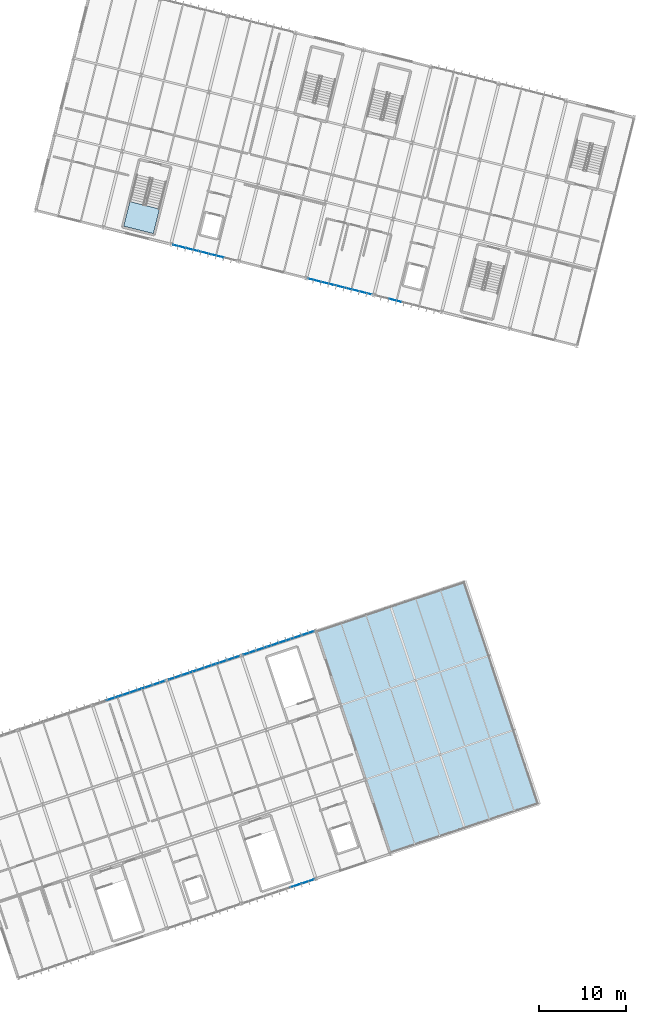
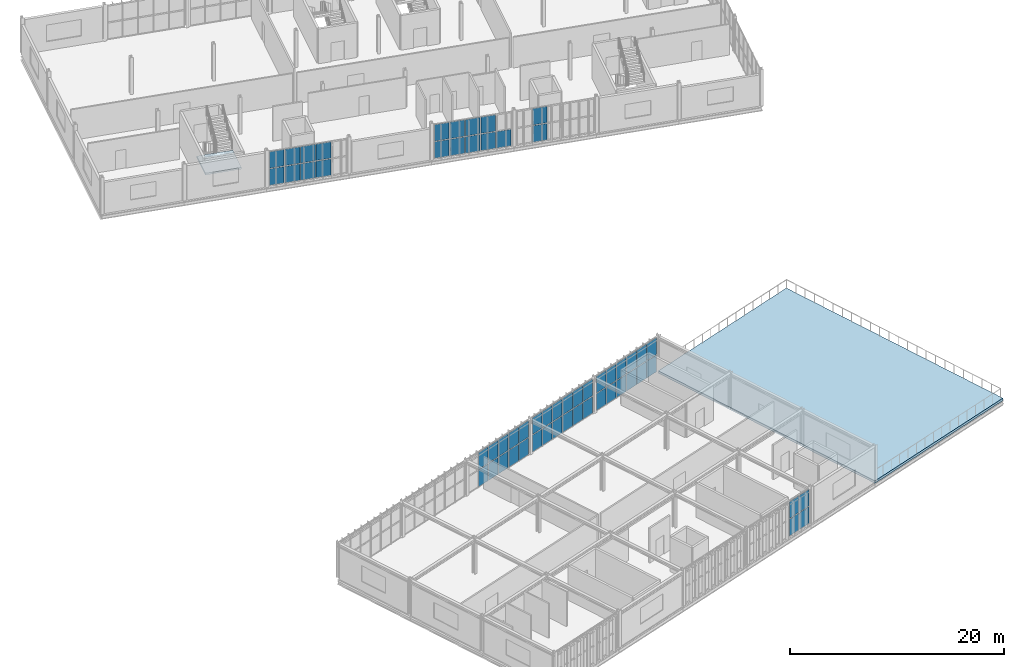
# One storey, part 41 of 61: 57 plates, 2 slabs, 8 elements without a shape of their own.
"""IFC4 building model written with IfcOpenShell, lengths in metres."""

import ifcopenshell
import ifcopenshell.guid

model = None  # the IFC model being written
_history = None  # IfcOwnerHistory: only IFC2X3 demands one
_inside = {}  # id of a spatial element -> (the spatial element, [elements in it])
_under = {}  # id of a project, library or spatial element -> (it, [spatial elements below it])
_declared = {}  # id of a project -> (the project, [libraries it declares])
_typed = {}  # id of a type object -> (the type object, [elements of that type])
_made_of = {}  # id of a material, layer set ... -> (it, [elements and type objects made of it])


def new_model(schema):
    """Start an empty IFC model of exactly this schema.

    Asked for "IFC4X3", IfcOpenShell would pick the latest addendum, in which some entities
    have other attributes; the version numbers below select the first issue.
    IFC2X3 requires an IfcOwnerHistory on every rooted entity: one is made here for all.
    """
    global model, _history
    if schema == "IFC4X3":
        model = ifcopenshell.file(schema_version=(4, 3, 0, 0))
    else:
        model = ifcopenshell.file(schema=schema)
    _inside.clear()
    _under.clear()
    _declared.clear()
    _typed.clear()
    _made_of.clear()
    _history = None
    if model.schema == "IFC2X3":
        org = make("IfcOrganization", Name="unknown")
        user = make(
            "IfcPersonAndOrganization",
            ThePerson=make("IfcPerson", FamilyName="unknown"),
            TheOrganization=org,
        )
        app = make(
            "IfcApplication",
            ApplicationDeveloper=org,
            Version="unknown",
            ApplicationFullName="unknown",
            ApplicationIdentifier="unknown",
        )
        _history = make(
            "IfcOwnerHistory",
            OwningUser=user,
            OwningApplication=app,
            ChangeAction="ADDED",
            CreationDate=0,
        )
    return model


def make(cls, **values):
    """One entity of the class cls with the attributes given. An attribute that is None is left unset."""
    return model.create_entity(
        cls, **{name: value for name, value in values.items() if value is not None}
    )


def rooted(cls, **values):
    """An entity with a GlobalId (a new one), such as an element, a storey or a relation."""
    return make(cls, GlobalId=ifcopenshell.guid.new(), OwnerHistory=_history, **values)


def si_unit(unit_type, name, prefix=None):
    """IfcSIUnit, for example si_unit("LENGTHUNIT", "METRE", prefix="MILLI")."""
    return make("IfcSIUnit", UnitType=unit_type, Prefix=prefix, Name=name)


def derived_unit(unit_type, elements):
    """IfcDerivedUnit: a product of units, each with its exponent."""
    return make(
        "IfcDerivedUnit",
        Elements=[
            make("IfcDerivedUnitElement", Unit=unit, Exponent=power)
            for unit, power in elements
        ],
        UnitType=unit_type,
    )


def assignment(units):
    """IfcUnitAssignment: the units of a project."""
    return None if units is None else make("IfcUnitAssignment", Units=units)


def point(xyz):
    """IfcCartesianPoint."""
    return None if xyz is None else make("IfcCartesianPoint", Coordinates=xyz)


def direction(xyz):
    """IfcDirection."""
    return None if xyz is None else make("IfcDirection", DirectionRatios=xyz)


def frame(location, z_axis=None, x_axis=None):
    """IfcAxis2Placement3D, a coordinate frame: its origin and axes. An axis left out is left unset."""
    return make(
        "IfcAxis2Placement3D",
        Location=point(location),
        Axis=direction(z_axis),
        RefDirection=direction(x_axis),
    )


def frame_2d(location, x_axis=None):
    """IfcAxis2Placement2D, a coordinate frame in the plane: its origin and x axis."""
    return make(
        "IfcAxis2Placement2D", Location=point(location), RefDirection=direction(x_axis)
    )


def origin():
    """The frame at (0, 0, 0) with its axes left unset."""
    return frame((0.0, 0.0, 0.0))


def origin_2d():
    """The frame at (0, 0) in the plane with its x axis left unset."""
    return frame_2d((0.0, 0.0))


def place(relative_to, where):
    """IfcLocalPlacement: puts the frame where relative to a parent placement (None: the world)."""
    return make(
        "IfcLocalPlacement", PlacementRelTo=relative_to, RelativePlacement=where
    )


def context(
    kind, dimensions, precision=None, world=None, true_north=None, identifier=None
):
    """IfcGeometricRepresentationContext, for example the 3D "Model" context."""
    return make(
        "IfcGeometricRepresentationContext",
        ContextIdentifier=identifier,
        ContextType=kind,
        CoordinateSpaceDimension=dimensions,
        Precision=precision,
        WorldCoordinateSystem=world,
        TrueNorth=true_north,
    )


def subcontext(parent, identifier, kind, view, scale=None):
    """IfcGeometricRepresentationSubContext, for example "Body" below "Model"."""
    return make(
        "IfcGeometricRepresentationSubContext",
        ContextIdentifier=identifier,
        ContextType=kind,
        ParentContext=parent,
        TargetScale=scale,
        TargetView=view,
    )


def project(units=None, contexts=None):
    """IfcProject with its units and contexts."""
    return rooted(
        "IfcProject",
        Name="project",
        RepresentationContexts=contexts,
        UnitsInContext=assignment(units),
    )


def spatial(cls, under=None, at=None, **own):
    """A site, building, storey or space (cls), placed at a placement, below another one or the project."""
    s = rooted(cls, ObjectPlacement=at, **own)
    if under is not None:
        _under.setdefault(under.id(), (under, []))[1].append(s)
    return s


def polyline(points):
    """IfcPolyline through the points."""
    return make("IfcPolyline", Points=[point(p) for p in points])


def profile(cls, at=None, kind="AREA", **sizes):
    """A parametric profile (cls). Its sizes go by their IFC names, for example OverallWidth=200.0."""
    return make(cls, ProfileType=kind, Position=at, **sizes)


def rectangle(**sizes):
    """IfcRectangleProfileDef."""
    return profile("IfcRectangleProfileDef", **sizes)


def outline(outer, holes=None, kind="AREA"):
    """IfcArbitraryClosedProfileDef: a profile drawn as a closed curve; with holes, ...WithVoids."""
    if holes is None:
        return make("IfcArbitraryClosedProfileDef", ProfileType=kind, OuterCurve=outer)
    return make(
        "IfcArbitraryProfileDefWithVoids",
        ProfileType=kind,
        OuterCurve=outer,
        InnerCurves=holes,
    )


def extrude(swept, where, along, depth):
    """IfcExtrudedAreaSolid: the profile swept, set in the frame where, extruded along a direction by depth."""
    return make(
        "IfcExtrudedAreaSolid",
        SweptArea=swept,
        Position=where,
        ExtrudedDirection=direction(along),
        Depth=depth,
    )


def shape(context_of_items, identifier, shape_type, items):
    """IfcShapeRepresentation: the items that make up one representation, for example the "Body"."""
    return make(
        "IfcShapeRepresentation",
        ContextOfItems=context_of_items,
        RepresentationIdentifier=identifier,
        RepresentationType=shape_type,
        Items=items,
    )


def material(Name=None, Category=None):
    """IfcMaterial."""
    return make("IfcMaterial", Name=Name, Category=Category)


def layer(
    of_material, thickness, ventilated=None, Name=None, Category=None, Priority=None
):
    """IfcMaterialLayer: one layer of a wall or slab, of a material (None: an air gap)."""
    return make(
        "IfcMaterialLayer",
        Material=of_material,
        LayerThickness=thickness,
        IsVentilated=ventilated,
        Name=Name,
        Category=Category,
        Priority=Priority,
    )


def layer_set(layers, Name=None):
    """IfcMaterialLayerSet."""
    return make("IfcMaterialLayerSet", MaterialLayers=layers, LayerSetName=Name)


def made_of(thing, what):
    """Note that an element or type object is made of a material, layer set ...; save() writes the relation."""
    if what is not None:
        _made_of.setdefault(what.id(), (what, []))[1].append(thing)
    return thing


def type_object(cls, material=None, **own):
    """A type object (cls), such as IfcWallType, which elements share."""
    return made_of(rooted(cls, **own), material)


def element(
    cls,
    number,
    at=None,
    inside=None,
    cuts=None,
    type_object=None,
    material=None,
    context=None,
    identifier="Body",
    shape_type=None,
    held_by="IfcProductDefinitionShape",
    body=None,
    shapes=None,
    **own,
):
    """One element of the class cls, such as IfcWall. Its Tag is "e" and its number.

    at: its placement. inside: the storey or other place that contains it. cuts: it is an
    opening in that element (IfcRelVoidsElement). A single representation is given by context,
    identifier, shape_type and body (its items); several are given by shapes. held_by: the class
    of the entity that holds the representations. save() writes the other relations.
    """
    e = rooted(cls, Tag="e%d" % number, ObjectPlacement=at, **own)
    if body is not None:
        shapes = [shape(context, identifier, shape_type, body)]
    if shapes is not None:
        e.Representation = make(held_by, Representations=shapes)
    if inside is not None:
        _inside.setdefault(inside.id(), (inside, []))[1].append(e)
    if cuts is not None:
        rooted(
            "IfcRelVoidsElement", RelatingBuildingElement=cuts, RelatedOpeningElement=e
        )
    if type_object is not None:
        _typed.setdefault(type_object.id(), (type_object, []))[1].append(e)
    return made_of(e, material)


def aggregate(whole, parts):
    """IfcRelAggregates: a whole, such as a stair, and the parts it consists of."""
    return rooted("IfcRelAggregates", RelatingObject=whole, RelatedObjects=parts)


def save(model, path):
    """Write the relations noted so far, then the file.

    IfcRelAggregates (storeys below a building ...), IfcRelContainedInSpatialStructure (elements
    in a storey), IfcRelDefinesByType, IfcRelAssociatesMaterial and IfcRelDeclares: one each for
    every whole, place, type object, material and project.
    """
    for whole, parts in _under.values():
        aggregate(whole, parts)
    for where, things in _inside.values():
        rooted(
            "IfcRelContainedInSpatialStructure",
            RelatedElements=things,
            RelatingStructure=where,
        )
    for kind, things in _typed.values():
        rooted("IfcRelDefinesByType", RelatedObjects=things, RelatingType=kind)
    for what, things in _made_of.values():
        rooted("IfcRelAssociatesMaterial", RelatedObjects=things, RelatingMaterial=what)
    for by, libraries in _declared.values():
        rooted("IfcRelDeclares", RelatingContext=by, RelatedDefinitions=libraries)
    model.write(path)


model = new_model("IFC4")

# Units and contexts
model_context = context("Model", 3, precision=1e-05, world=origin(), true_north=direction((0.0, 1.0)))
body_context = subcontext(model_context, "Body", "Model", "MODEL_VIEW")
ifc_project = project(units=[si_unit("LENGTHUNIT", "METRE"), si_unit("AREAUNIT", "SQUARE_METRE"), si_unit("VOLUMEUNIT", "CUBIC_METRE"), si_unit("PLANEANGLEUNIT", "RADIAN"), si_unit("MASSUNIT", "GRAM", prefix="KILO"), si_unit("THERMODYNAMICTEMPERATUREUNIT", "KELVIN"), si_unit("TIMEUNIT", "SECOND"), derived_unit("THERMALTRANSMITTANCEUNIT", [(si_unit("MASSUNIT", "GRAM", prefix="KILO"), 1), (si_unit("THERMODYNAMICTEMPERATUREUNIT", "KELVIN"), -1), (si_unit("TIMEUNIT", "SECOND"), -3)])], contexts=[model_context])

# Site, building, storey
site_placement = place(None, origin())
site = spatial("IfcSite", under=ifc_project, at=site_placement, CompositionType="ELEMENT")
building_placement = place(site_placement, origin())
building = spatial("IfcBuilding", under=site, at=building_placement, Name="Cambertide Market Hall", CompositionType="ELEMENT")
storey_placement = place(building_placement, frame((0.0, 0.0, 9.89990234375)))
storey = spatial("IfcBuildingStorey", under=building, at=storey_placement, Name="L03", CompositionType="ELEMENT", Elevation=9.89990234375)

# Stair, slab
ifc_material_1 = material(Name="Concrete B35", Category="concrete")
stair_type = type_object("IfcStairType", Name="Concrete Dogleg Stair ST-07A", PredefinedType="HALF_TURN_STAIR", material=ifc_material_1)
stair_placement = place(storey_placement, origin())
stair = element("IfcStair", 1, at=stair_placement, inside=storey, type_object=stair_type, Name="Level 3 Exit Stair Core 07A", PredefinedType="HALF_TURN_STAIR")
ifc_material_2 = material(Name="Concrete B35", Category="concrete")
ifc_layer_1 = layer(ifc_material_2, 0.199951171875, Name="Concrete Stair Half-Landing 200")
ifc_layer_set_1 = layer_set([ifc_layer_1], Name="Concrete B35")
slab_type_1 = type_object("IfcSlabType", Name="Concrete Stair Half-Landing 200", PredefinedType="LANDING", material=ifc_layer_set_1)
slab_1_placement = place(storey_placement, frame((0.0, 0.0, 1.900146484375)))
slab_1 = element("IfcSlab", 2, at=slab_1_placement, type_object=slab_type_1, Name="ST-07A landing 1", PredefinedType="LANDING", context=body_context, shape_type="SweptSolid", body=[
    extrude(outline(polyline([(118.820556640625, 101.02001953125), (118.11376953125, 98.193115234375), (121.50927734375, 97.34423828125), (122.216064453125, 100.171142578125), (118.820556640625, 101.02001953125)])), origin(), (0.0, 0.0, 1.0), 0.199951171875),
])
aggregate(stair, [slab_1])

# Slab
ifc_material_3 = material(Name="Concrete B35", Category="concrete")
ifc_layer_2 = layer(ifc_material_3, 0.27490234375, Name="East Breeze Outdoor Dining Terrace Slab 275")
ifc_layer_set_2 = layer_set([ifc_layer_2], Name="Concrete B35")
slab_type_2 = type_object("IfcSlabType", Name="East Breeze Outdoor Dining Terrace Slab 275", PredefinedType="FLOOR", material=ifc_layer_set_2)
slab_2_placement = place(storey_placement, frame((0.0, 0.0, -0.27490234375)))
element("IfcSlab", 3, at=slab_2_placement, inside=storey, type_object=slab_type_2, Name="Level 3 Slab SLB-L03-V3-TERR", PredefinedType="FLOOR", context=body_context, shape_type="SweptSolid", body=[
    extrude(outline(polyline([(148.690673828125, 26.230224609375), (165.76708984375, 31.92236328125), (157.22900390625, 57.536865234375), (140.152587890625, 51.8447265625), (148.690673828125, 26.230224609375)])), origin(), (0.0, 0.0, 1.0), 0.27490234375),
])

# Curtain wall, plates
ifc_material_4 = material(Name="Marine Anodized Aluminium 6063-T6 AA25", Category="aluminium")
curtain_wall_type_1 = type_object("IfcCurtainWallType", Name="Tasting Hall Panorama Curtain Wall", PredefinedType="USERDEFINED", material=ifc_material_4)
curtain_wall_1_placement = place(storey_placement, origin())
curtain_wall_1 = element("IfcCurtainWall", 4, at=curtain_wall_1_placement, inside=storey, type_object=curtain_wall_type_1, Name="Level 3 Curtain Wall CW-V3N-L03-3", ObjectType="UNITIZED CURTAIN WALL", PredefinedType="USERDEFINED")
ifc_material_5 = material(Name="Low-E Laminated Insulated Glass", Category="glass")
ifc_layer_3 = layer(ifc_material_5, 0.028076171875, Name="Vision Insulated Glazing Panel 28")
ifc_layer_set_3 = layer_set([ifc_layer_3], Name="Low-E Laminated Insulated Glass")
plate_type = type_object("IfcPlateType", Name="Vision Insulated Glazing Panel 28", PredefinedType="CURTAIN_PANEL", material=ifc_layer_set_3)
plate_1_placement = place(storey_placement, frame((116.78662109375, 44.055908203125, 0.0400390625), z_axis=(0.0, 0.0, 1.0), x_axis=(0.948683274577, 0.316227836438, 0.0)))
plate_1 = element("IfcPlate", 5, at=plate_1_placement, type_object=plate_type, Name="CW-V3N-L03-3 Glazing Panel 1-2", PredefinedType="CURTAIN_PANEL", context=body_context, shape_type="SweptSolid", body=[
    extrude(rectangle(XDim=1.340087890625, YDim=0.028076171875, at=origin_2d()), origin(), (0.0, 0.0, 1.0), 1.909912109375),
])
plate_2_placement = place(storey_placement, frame((118.133544921875, 44.505126953125, 0.0400390625), z_axis=(0.0, 0.0, 1.0), x_axis=(0.948683274577, 0.316227836438, 0.0)))
plate_2 = element("IfcPlate", 6, at=plate_2_placement, type_object=plate_type, Name="CW-V3N-L03-3 Glazing Panel 1-3", PredefinedType="CURTAIN_PANEL", context=body_context, shape_type="SweptSolid", body=[
    extrude(rectangle(XDim=1.340087890625, YDim=0.028076171875, at=origin_2d()), origin(), (0.0, 0.0, 1.0), 1.909912109375),
])
plate_3_placement = place(storey_placement, frame((119.480712890625, 44.9541015625, 0.0400390625), z_axis=(0.0, 0.0, 1.0), x_axis=(0.948683274577, 0.316227836438, 0.0)))
plate_3 = element("IfcPlate", 7, at=plate_3_placement, type_object=plate_type, Name="CW-V3N-L03-3 Glazing Panel 1-4", PredefinedType="CURTAIN_PANEL", context=body_context, shape_type="SweptSolid", body=[
    extrude(rectangle(XDim=1.340087890625, YDim=0.028076171875, at=origin_2d()), origin(), (0.0, 0.0, 1.0), 1.909912109375),
])
plate_4_placement = place(storey_placement, frame((120.827880859375, 45.403076171875, 0.0400390625), z_axis=(0.0, 0.0, 1.0), x_axis=(0.948683274577, 0.316227836438, 0.0)))
plate_4 = element("IfcPlate", 8, at=plate_4_placement, type_object=plate_type, Name="CW-V3N-L03-3 Glazing Panel 1-5", PredefinedType="CURTAIN_PANEL", context=body_context, shape_type="SweptSolid", body=[
    extrude(rectangle(XDim=1.340087890625, YDim=0.028076171875, at=origin_2d()), origin(), (0.0, 0.0, 1.0), 1.909912109375),
])
plate_5_placement = place(storey_placement, frame((122.175048828125, 45.852294921875, 0.0400390625), z_axis=(0.0, 0.0, 1.0), x_axis=(0.948683274577, 0.316227836438, 0.0)))
plate_5 = element("IfcPlate", 9, at=plate_5_placement, type_object=plate_type, Name="CW-V3N-L03-3 Glazing Panel 1-6", PredefinedType="CURTAIN_PANEL", context=body_context, shape_type="SweptSolid", body=[
    extrude(rectangle(XDim=1.340087890625, YDim=0.028076171875, at=origin_2d()), origin(), (0.0, 0.0, 1.0), 1.909912109375),
])
plate_6_placement = place(storey_placement, frame((116.78662109375, 44.055908203125, 2.0302734375), z_axis=(0.0, 0.0, 1.0), x_axis=(0.948683274577, 0.316227836438, 0.0)))
plate_6 = element("IfcPlate", 10, at=plate_6_placement, type_object=plate_type, Name="CW-V3N-L03-3 Glazing Panel 2-2", PredefinedType="CURTAIN_PANEL", context=body_context, shape_type="SweptSolid", body=[
    extrude(rectangle(XDim=1.340087890625, YDim=0.028076171875, at=origin_2d()), origin(), (0.0, 0.0, 1.0), 1.909912109375),
])
plate_7_placement = place(storey_placement, frame((118.133544921875, 44.505126953125, 2.0302734375), z_axis=(0.0, 0.0, 1.0), x_axis=(0.948683274577, 0.316227836438, 0.0)))
plate_7 = element("IfcPlate", 11, at=plate_7_placement, type_object=plate_type, Name="CW-V3N-L03-3 Glazing Panel 2-3", PredefinedType="CURTAIN_PANEL", context=body_context, shape_type="SweptSolid", body=[
    extrude(rectangle(XDim=1.340087890625, YDim=0.028076171875, at=origin_2d()), origin(), (0.0, 0.0, 1.0), 1.909912109375),
])
plate_8_placement = place(storey_placement, frame((119.480712890625, 44.9541015625, 2.0302734375), z_axis=(0.0, 0.0, 1.0), x_axis=(0.948683274577, 0.316227836438, 0.0)))
plate_8 = element("IfcPlate", 12, at=plate_8_placement, type_object=plate_type, Name="CW-V3N-L03-3 Glazing Panel 2-4", PredefinedType="CURTAIN_PANEL", context=body_context, shape_type="SweptSolid", body=[
    extrude(rectangle(XDim=1.340087890625, YDim=0.028076171875, at=origin_2d()), origin(), (0.0, 0.0, 1.0), 1.909912109375),
])
plate_9_placement = place(storey_placement, frame((120.827880859375, 45.403076171875, 2.0302734375), z_axis=(0.0, 0.0, 1.0), x_axis=(0.948683274577, 0.316227836438, 0.0)))
plate_9 = element("IfcPlate", 13, at=plate_9_placement, type_object=plate_type, Name="CW-V3N-L03-3 Glazing Panel 2-5", PredefinedType="CURTAIN_PANEL", context=body_context, shape_type="SweptSolid", body=[
    extrude(rectangle(XDim=1.340087890625, YDim=0.028076171875, at=origin_2d()), origin(), (0.0, 0.0, 1.0), 1.909912109375),
])
plate_10_placement = place(storey_placement, frame((122.175048828125, 45.852294921875, 2.0302734375), z_axis=(0.0, 0.0, 1.0), x_axis=(0.948683274577, 0.316227836438, 0.0)))
plate_10 = element("IfcPlate", 14, at=plate_10_placement, type_object=plate_type, Name="CW-V3N-L03-3 Glazing Panel 2-6", PredefinedType="CURTAIN_PANEL", context=body_context, shape_type="SweptSolid", body=[
    extrude(rectangle(XDim=1.340087890625, YDim=0.028076171875, at=origin_2d()), origin(), (0.0, 0.0, 1.0), 1.909912109375),
])
aggregate(curtain_wall_1, [plate_1, plate_2, plate_3, plate_4, plate_5, plate_6, plate_7, plate_8, plate_9, plate_10])

curtain_wall_2_placement = place(storey_placement, origin())
curtain_wall_2 = element("IfcCurtainWall", 15, at=curtain_wall_2_placement, inside=storey, type_object=curtain_wall_type_1, Name="Level 3 Curtain Wall CW-V3N-L03-4", ObjectType="UNITIZED CURTAIN WALL", PredefinedType="USERDEFINED")
plate_11_placement = place(storey_placement, frame((123.9775390625, 46.453125, 0.0400390625), z_axis=(0.0, 0.0, 1.0), x_axis=(0.948683286311, 0.316227801236, 0.0)))
plate_11 = element("IfcPlate", 16, at=plate_11_placement, type_object=plate_type, Name="CW-V3N-L03-4 Glazing Panel 1-1", PredefinedType="CURTAIN_PANEL", context=body_context, shape_type="SweptSolid", body=[
    extrude(rectangle(XDim=1.340087890625, YDim=0.028076171875, at=origin_2d()), origin(), (0.0, 0.0, 1.0), 1.909912109375),
])
plate_12_placement = place(storey_placement, frame((125.32470703125, 46.902099609375, 0.0400390625), z_axis=(0.0, 0.0, 1.0), x_axis=(0.948683286311, 0.316227801236, 0.0)))
plate_12 = element("IfcPlate", 17, at=plate_12_placement, type_object=plate_type, Name="CW-V3N-L03-4 Glazing Panel 1-2", PredefinedType="CURTAIN_PANEL", context=body_context, shape_type="SweptSolid", body=[
    extrude(rectangle(XDim=1.340087890625, YDim=0.028076171875, at=origin_2d()), origin(), (0.0, 0.0, 1.0), 1.909912109375),
])
plate_13_placement = place(storey_placement, frame((126.671875, 47.35107421875, 0.0400390625), z_axis=(0.0, 0.0, 1.0), x_axis=(0.948683286311, 0.316227801236, 0.0)))
plate_13 = element("IfcPlate", 18, at=plate_13_placement, type_object=plate_type, Name="CW-V3N-L03-4 Glazing Panel 1-3", PredefinedType="CURTAIN_PANEL", context=body_context, shape_type="SweptSolid", body=[
    extrude(rectangle(XDim=1.340087890625, YDim=0.028076171875, at=origin_2d()), origin(), (0.0, 0.0, 1.0), 1.909912109375),
])
plate_14_placement = place(storey_placement, frame((128.01904296875, 47.800048828125, 0.0400390625), z_axis=(0.0, 0.0, 1.0), x_axis=(0.948683286311, 0.316227801236, 0.0)))
plate_14 = element("IfcPlate", 19, at=plate_14_placement, type_object=plate_type, Name="CW-V3N-L03-4 Glazing Panel 1-4", PredefinedType="CURTAIN_PANEL", context=body_context, shape_type="SweptSolid", body=[
    extrude(rectangle(XDim=1.340087890625, YDim=0.028076171875, at=origin_2d()), origin(), (0.0, 0.0, 1.0), 1.909912109375),
])
plate_15_placement = place(storey_placement, frame((129.365966796875, 48.249267578125, 0.0400390625), z_axis=(0.0, 0.0, 1.0), x_axis=(0.948683286311, 0.316227801236, 0.0)))
plate_15 = element("IfcPlate", 20, at=plate_15_placement, type_object=plate_type, Name="CW-V3N-L03-4 Glazing Panel 1-5", PredefinedType="CURTAIN_PANEL", context=body_context, shape_type="SweptSolid", body=[
    extrude(rectangle(XDim=1.340087890625, YDim=0.028076171875, at=origin_2d()), origin(), (0.0, 0.0, 1.0), 1.909912109375),
])
plate_16_placement = place(storey_placement, frame((130.713134765625, 48.6982421875, 0.0400390625), z_axis=(0.0, 0.0, 1.0), x_axis=(0.948683286311, 0.316227801236, 0.0)))
plate_16 = element("IfcPlate", 21, at=plate_16_placement, type_object=plate_type, Name="CW-V3N-L03-4 Glazing Panel 1-6", PredefinedType="CURTAIN_PANEL", context=body_context, shape_type="SweptSolid", body=[
    extrude(rectangle(XDim=1.340087890625, YDim=0.028076171875, at=origin_2d()), origin(), (0.0, 0.0, 1.0), 1.909912109375),
])
plate_17_placement = place(storey_placement, frame((123.9775390625, 46.453125, 2.0302734375), z_axis=(0.0, 0.0, 1.0), x_axis=(0.948683286311, 0.316227801236, 0.0)))
plate_17 = element("IfcPlate", 22, at=plate_17_placement, type_object=plate_type, Name="CW-V3N-L03-4 Glazing Panel 2-1", PredefinedType="CURTAIN_PANEL", context=body_context, shape_type="SweptSolid", body=[
    extrude(rectangle(XDim=1.340087890625, YDim=0.028076171875, at=origin_2d()), origin(), (0.0, 0.0, 1.0), 1.909912109375),
])
plate_18_placement = place(storey_placement, frame((125.32470703125, 46.902099609375, 2.0302734375), z_axis=(0.0, 0.0, 1.0), x_axis=(0.948683286311, 0.316227801236, 0.0)))
plate_18 = element("IfcPlate", 23, at=plate_18_placement, type_object=plate_type, Name="CW-V3N-L03-4 Glazing Panel 2-2", PredefinedType="CURTAIN_PANEL", context=body_context, shape_type="SweptSolid", body=[
    extrude(rectangle(XDim=1.340087890625, YDim=0.028076171875, at=origin_2d()), origin(), (0.0, 0.0, 1.0), 1.909912109375),
])
plate_19_placement = place(storey_placement, frame((126.671875, 47.35107421875, 2.0302734375), z_axis=(0.0, 0.0, 1.0), x_axis=(0.948683286311, 0.316227801236, 0.0)))
plate_19 = element("IfcPlate", 24, at=plate_19_placement, type_object=plate_type, Name="CW-V3N-L03-4 Glazing Panel 2-3", PredefinedType="CURTAIN_PANEL", context=body_context, shape_type="SweptSolid", body=[
    extrude(rectangle(XDim=1.340087890625, YDim=0.028076171875, at=origin_2d()), origin(), (0.0, 0.0, 1.0), 1.909912109375),
])
plate_20_placement = place(storey_placement, frame((128.01904296875, 47.800048828125, 2.0302734375), z_axis=(0.0, 0.0, 1.0), x_axis=(0.948683286311, 0.316227801236, 0.0)))
plate_20 = element("IfcPlate", 25, at=plate_20_placement, type_object=plate_type, Name="CW-V3N-L03-4 Glazing Panel 2-4", PredefinedType="CURTAIN_PANEL", context=body_context, shape_type="SweptSolid", body=[
    extrude(rectangle(XDim=1.340087890625, YDim=0.028076171875, at=origin_2d()), origin(), (0.0, 0.0, 1.0), 1.909912109375),
])
plate_21_placement = place(storey_placement, frame((129.365966796875, 48.249267578125, 2.0302734375), z_axis=(0.0, 0.0, 1.0), x_axis=(0.948683286311, 0.316227801236, 0.0)))
plate_21 = element("IfcPlate", 26, at=plate_21_placement, type_object=plate_type, Name="CW-V3N-L03-4 Glazing Panel 2-5", PredefinedType="CURTAIN_PANEL", context=body_context, shape_type="SweptSolid", body=[
    extrude(rectangle(XDim=1.340087890625, YDim=0.028076171875, at=origin_2d()), origin(), (0.0, 0.0, 1.0), 1.909912109375),
])
plate_22_placement = place(storey_placement, frame((130.713134765625, 48.6982421875, 2.0302734375), z_axis=(0.0, 0.0, 1.0), x_axis=(0.948683286311, 0.316227801236, 0.0)))
plate_22 = element("IfcPlate", 27, at=plate_22_placement, type_object=plate_type, Name="CW-V3N-L03-4 Glazing Panel 2-6", PredefinedType="CURTAIN_PANEL", context=body_context, shape_type="SweptSolid", body=[
    extrude(rectangle(XDim=1.340087890625, YDim=0.028076171875, at=origin_2d()), origin(), (0.0, 0.0, 1.0), 1.909912109375),
])
aggregate(curtain_wall_2, [plate_11, plate_12, plate_13, plate_14, plate_15, plate_16, plate_17, plate_18, plate_19, plate_20, plate_21, plate_22])

curtain_wall_3_placement = place(storey_placement, origin())
curtain_wall_3 = element("IfcCurtainWall", 28, at=curtain_wall_3_placement, inside=storey, type_object=curtain_wall_type_1, Name="Level 3 Curtain Wall CW-V3S-L03-4", ObjectType="UNITIZED CURTAIN WALL", PredefinedType="USERDEFINED")
plate_23_placement = place(storey_placement, frame((139.25146484375, 23.083740234375, 0.0400390625), z_axis=(0.0, 0.0, 1.0), x_axis=(-0.948683286311, -0.316227801236, 0.0)))
plate_23 = element("IfcPlate", 29, at=plate_23_placement, type_object=plate_type, Name="CW-V3S-L03-4 Glazing Panel 1-1", PredefinedType="CURTAIN_PANEL", context=body_context, shape_type="SweptSolid", body=[
    extrude(rectangle(XDim=1.340087890625, YDim=0.028076171875, at=origin_2d()), origin(), (0.0, 0.0, 1.0), 1.909912109375),
])
plate_24_placement = place(storey_placement, frame((137.904296875, 22.634765625, 0.0400390625), z_axis=(0.0, 0.0, 1.0), x_axis=(-0.948683286311, -0.316227801236, 0.0)))
plate_24 = element("IfcPlate", 30, at=plate_24_placement, type_object=plate_type, Name="CW-V3S-L03-4 Glazing Panel 1-2", PredefinedType="CURTAIN_PANEL", context=body_context, shape_type="SweptSolid", body=[
    extrude(rectangle(XDim=1.340087890625, YDim=0.028076171875, at=origin_2d()), origin(), (0.0, 0.0, 1.0), 1.909912109375),
])
plate_25_placement = place(storey_placement, frame((139.25146484375, 23.083740234375, 2.0302734375), z_axis=(0.0, 0.0, 1.0), x_axis=(-0.948683286311, -0.316227801236, 0.0)))
plate_25 = element("IfcPlate", 31, at=plate_25_placement, type_object=plate_type, Name="CW-V3S-L03-4 Glazing Panel 2-1", PredefinedType="CURTAIN_PANEL", context=body_context, shape_type="SweptSolid", body=[
    extrude(rectangle(XDim=1.340087890625, YDim=0.028076171875, at=origin_2d()), origin(), (0.0, 0.0, 1.0), 1.909912109375),
])
plate_26_placement = place(storey_placement, frame((137.904296875, 22.634765625, 2.0302734375), z_axis=(0.0, 0.0, 1.0), x_axis=(-0.948683286311, -0.316227801236, 0.0)))
plate_26 = element("IfcPlate", 32, at=plate_26_placement, type_object=plate_type, Name="CW-V3S-L03-4 Glazing Panel 2-2", PredefinedType="CURTAIN_PANEL", context=body_context, shape_type="SweptSolid", body=[
    extrude(rectangle(XDim=1.340087890625, YDim=0.028076171875, at=origin_2d()), origin(), (0.0, 0.0, 1.0), 1.909912109375),
])
aggregate(curtain_wall_3, [plate_23, plate_24, plate_25, plate_26])

curtain_wall_4_placement = place(storey_placement, origin())
curtain_wall_4 = element("IfcCurtainWall", 33, at=curtain_wall_4_placement, inside=storey, type_object=curtain_wall_type_1, Name="Level 3 Curtain Wall CW-V3N-L03-5", ObjectType="UNITIZED CURTAIN WALL", PredefinedType="USERDEFINED")
plate_27_placement = place(storey_placement, frame((132.515625, 49.299072265625, 0.0400390625), z_axis=(0.0, 0.0, 1.0), x_axis=(0.948683286311, 0.316227801236, 0.0)))
plate_27 = element("IfcPlate", 34, at=plate_27_placement, type_object=plate_type, Name="CW-V3N-L03-5 Glazing Panel 1-1", PredefinedType="CURTAIN_PANEL", context=body_context, shape_type="SweptSolid", body=[
    extrude(rectangle(XDim=1.340087890625, YDim=0.028076171875, at=origin_2d()), origin(), (0.0, 0.0, 1.0), 1.909912109375),
])
plate_28_placement = place(storey_placement, frame((133.86279296875, 49.748046875, 0.0400390625), z_axis=(0.0, 0.0, 1.0), x_axis=(0.948683286311, 0.316227801236, 0.0)))
plate_28 = element("IfcPlate", 35, at=plate_28_placement, type_object=plate_type, Name="CW-V3N-L03-5 Glazing Panel 1-2", PredefinedType="CURTAIN_PANEL", context=body_context, shape_type="SweptSolid", body=[
    extrude(rectangle(XDim=1.340087890625, YDim=0.028076171875, at=origin_2d()), origin(), (0.0, 0.0, 1.0), 1.909912109375),
])
plate_29_placement = place(storey_placement, frame((135.2099609375, 50.197265625, 0.0400390625), z_axis=(0.0, 0.0, 1.0), x_axis=(0.948683286311, 0.316227801236, 0.0)))
plate_29 = element("IfcPlate", 36, at=plate_29_placement, type_object=plate_type, Name="CW-V3N-L03-5 Glazing Panel 1-3", PredefinedType="CURTAIN_PANEL", context=body_context, shape_type="SweptSolid", body=[
    extrude(rectangle(XDim=1.340087890625, YDim=0.028076171875, at=origin_2d()), origin(), (0.0, 0.0, 1.0), 1.909912109375),
])
plate_30_placement = place(storey_placement, frame((136.55712890625, 50.646240234375, 0.0400390625), z_axis=(0.0, 0.0, 1.0), x_axis=(0.948683286311, 0.316227801236, 0.0)))
plate_30 = element("IfcPlate", 37, at=plate_30_placement, type_object=plate_type, Name="CW-V3N-L03-5 Glazing Panel 1-4", PredefinedType="CURTAIN_PANEL", context=body_context, shape_type="SweptSolid", body=[
    extrude(rectangle(XDim=1.340087890625, YDim=0.028076171875, at=origin_2d()), origin(), (0.0, 0.0, 1.0), 1.909912109375),
])
plate_31_placement = place(storey_placement, frame((137.904296875, 51.09521484375, 0.0400390625), z_axis=(0.0, 0.0, 1.0), x_axis=(0.948683286311, 0.316227801236, 0.0)))
plate_31 = element("IfcPlate", 38, at=plate_31_placement, type_object=plate_type, Name="CW-V3N-L03-5 Glazing Panel 1-5", PredefinedType="CURTAIN_PANEL", context=body_context, shape_type="SweptSolid", body=[
    extrude(rectangle(XDim=1.340087890625, YDim=0.028076171875, at=origin_2d()), origin(), (0.0, 0.0, 1.0), 1.909912109375),
])
plate_32_placement = place(storey_placement, frame((139.25146484375, 51.544189453125, 0.0400390625), z_axis=(0.0, 0.0, 1.0), x_axis=(0.948683286311, 0.316227801236, 0.0)))
plate_32 = element("IfcPlate", 39, at=plate_32_placement, type_object=plate_type, Name="CW-V3N-L03-5 Glazing Panel 1-6", PredefinedType="CURTAIN_PANEL", context=body_context, shape_type="SweptSolid", body=[
    extrude(rectangle(XDim=1.340087890625, YDim=0.028076171875, at=origin_2d()), origin(), (0.0, 0.0, 1.0), 1.909912109375),
])
plate_33_placement = place(storey_placement, frame((132.515625, 49.299072265625, 2.0302734375), z_axis=(0.0, 0.0, 1.0), x_axis=(0.948683286311, 0.316227801236, 0.0)))
plate_33 = element("IfcPlate", 40, at=plate_33_placement, type_object=plate_type, Name="CW-V3N-L03-5 Glazing Panel 2-1", PredefinedType="CURTAIN_PANEL", context=body_context, shape_type="SweptSolid", body=[
    extrude(rectangle(XDim=1.340087890625, YDim=0.028076171875, at=origin_2d()), origin(), (0.0, 0.0, 1.0), 1.909912109375),
])
plate_34_placement = place(storey_placement, frame((133.86279296875, 49.748046875, 2.0302734375), z_axis=(0.0, 0.0, 1.0), x_axis=(0.948683286311, 0.316227801236, 0.0)))
plate_34 = element("IfcPlate", 41, at=plate_34_placement, type_object=plate_type, Name="CW-V3N-L03-5 Glazing Panel 2-2", PredefinedType="CURTAIN_PANEL", context=body_context, shape_type="SweptSolid", body=[
    extrude(rectangle(XDim=1.340087890625, YDim=0.028076171875, at=origin_2d()), origin(), (0.0, 0.0, 1.0), 1.909912109375),
])
plate_35_placement = place(storey_placement, frame((135.2099609375, 50.197265625, 2.0302734375), z_axis=(0.0, 0.0, 1.0), x_axis=(0.948683286311, 0.316227801236, 0.0)))
plate_35 = element("IfcPlate", 42, at=plate_35_placement, type_object=plate_type, Name="CW-V3N-L03-5 Glazing Panel 2-3", PredefinedType="CURTAIN_PANEL", context=body_context, shape_type="SweptSolid", body=[
    extrude(rectangle(XDim=1.340087890625, YDim=0.028076171875, at=origin_2d()), origin(), (0.0, 0.0, 1.0), 1.909912109375),
])
plate_36_placement = place(storey_placement, frame((136.55712890625, 50.646240234375, 2.0302734375), z_axis=(0.0, 0.0, 1.0), x_axis=(0.948683286311, 0.316227801236, 0.0)))
plate_36 = element("IfcPlate", 43, at=plate_36_placement, type_object=plate_type, Name="CW-V3N-L03-5 Glazing Panel 2-4", PredefinedType="CURTAIN_PANEL", context=body_context, shape_type="SweptSolid", body=[
    extrude(rectangle(XDim=1.340087890625, YDim=0.028076171875, at=origin_2d()), origin(), (0.0, 0.0, 1.0), 1.909912109375),
])
plate_37_placement = place(storey_placement, frame((137.904296875, 51.09521484375, 2.0302734375), z_axis=(0.0, 0.0, 1.0), x_axis=(0.948683286311, 0.316227801236, 0.0)))
plate_37 = element("IfcPlate", 44, at=plate_37_placement, type_object=plate_type, Name="CW-V3N-L03-5 Glazing Panel 2-5", PredefinedType="CURTAIN_PANEL", context=body_context, shape_type="SweptSolid", body=[
    extrude(rectangle(XDim=1.340087890625, YDim=0.028076171875, at=origin_2d()), origin(), (0.0, 0.0, 1.0), 1.909912109375),
])
plate_38_placement = place(storey_placement, frame((139.25146484375, 51.544189453125, 2.0302734375), z_axis=(0.0, 0.0, 1.0), x_axis=(0.948683286311, 0.316227801236, 0.0)))
plate_38 = element("IfcPlate", 45, at=plate_38_placement, type_object=plate_type, Name="CW-V3N-L03-5 Glazing Panel 2-6", PredefinedType="CURTAIN_PANEL", context=body_context, shape_type="SweptSolid", body=[
    extrude(rectangle(XDim=1.340087890625, YDim=0.028076171875, at=origin_2d()), origin(), (0.0, 0.0, 1.0), 1.909912109375),
])
aggregate(curtain_wall_4, [plate_27, plate_28, plate_29, plate_30, plate_31, plate_32, plate_33, plate_34, plate_35, plate_36, plate_37, plate_38])

ifc_material_6 = material(Name="Marine Anodized Aluminium 6063-T6 AA25", Category="aluminium")
curtain_wall_type_2 = type_object("IfcCurtainWallType", Name="Cooking School Classroom Curtain Wall", PredefinedType="USERDEFINED", material=ifc_material_6)
curtain_wall_5_placement = place(storey_placement, origin())
curtain_wall_5 = element("IfcCurtainWall", 46, at=curtain_wall_5_placement, inside=storey, type_object=curtain_wall_type_2, Name="Level 3 Curtain Wall CW-V4S-L03-3", ObjectType="UNITIZED CURTAIN WALL", PredefinedType="USERDEFINED")
plate_39_placement = place(storey_placement, frame((128.862060546875, 94.784423828125, 0.0400390625), z_axis=(0.0, 0.0, 1.0), x_axis=(-0.970142531436, 0.242535499875, 0.0)))
plate_39 = element("IfcPlate", 47, at=plate_39_placement, type_object=plate_type, Name="CW-V4S-L03-3 Glazing Panel 1-2", PredefinedType="CURTAIN_PANEL", context=body_context, shape_type="SweptSolid", body=[
    extrude(rectangle(XDim=1.424072265625, YDim=0.028076171875, at=origin_2d()), origin(), (0.0, 0.0, 1.0), 1.8798828125),
])
plate_40_placement = place(storey_placement, frame((127.40283203125, 95.149169921875, 0.0400390625), z_axis=(0.0, 0.0, 1.0), x_axis=(-0.970142531436, 0.242535499875, 0.0)))
plate_40 = element("IfcPlate", 48, at=plate_40_placement, type_object=plate_type, Name="CW-V4S-L03-3 Glazing Panel 1-3", PredefinedType="CURTAIN_PANEL", context=body_context, shape_type="SweptSolid", body=[
    extrude(rectangle(XDim=1.424072265625, YDim=0.028076171875, at=origin_2d()), origin(), (0.0, 0.0, 1.0), 1.8798828125),
])
plate_41_placement = place(storey_placement, frame((125.94384765625, 95.51416015625, 0.0400390625), z_axis=(0.0, 0.0, 1.0), x_axis=(-0.970142531436, 0.242535499875, 0.0)))
plate_41 = element("IfcPlate", 49, at=plate_41_placement, type_object=plate_type, Name="CW-V4S-L03-3 Glazing Panel 1-4", PredefinedType="CURTAIN_PANEL", context=body_context, shape_type="SweptSolid", body=[
    extrude(rectangle(XDim=1.424072265625, YDim=0.028076171875, at=origin_2d()), origin(), (0.0, 0.0, 1.0), 1.8798828125),
])
plate_42_placement = place(storey_placement, frame((124.484619140625, 95.87890625, 0.0400390625), z_axis=(0.0, 0.0, 1.0), x_axis=(-0.970142531436, 0.242535499875, 0.0)))
plate_42 = element("IfcPlate", 50, at=plate_42_placement, type_object=plate_type, Name="CW-V4S-L03-3 Glazing Panel 1-5", PredefinedType="CURTAIN_PANEL", context=body_context, shape_type="SweptSolid", body=[
    extrude(rectangle(XDim=1.424072265625, YDim=0.028076171875, at=origin_2d()), origin(), (0.0, 0.0, 1.0), 1.8798828125),
])
plate_43_placement = place(storey_placement, frame((128.862060546875, 94.784423828125, 2.000244140625), z_axis=(0.0, 0.0, 1.0), x_axis=(-0.970142531436, 0.242535499875, 0.0)))
plate_43 = element("IfcPlate", 51, at=plate_43_placement, type_object=plate_type, Name="CW-V4S-L03-3 Glazing Panel 2-2", PredefinedType="CURTAIN_PANEL", context=body_context, shape_type="SweptSolid", body=[
    extrude(rectangle(XDim=1.424072265625, YDim=0.028076171875, at=origin_2d()), origin(), (0.0, 0.0, 1.0), 1.8798828125),
])
plate_44_placement = place(storey_placement, frame((127.40283203125, 95.149169921875, 2.000244140625), z_axis=(0.0, 0.0, 1.0), x_axis=(-0.970142531436, 0.242535499875, 0.0)))
plate_44 = element("IfcPlate", 52, at=plate_44_placement, type_object=plate_type, Name="CW-V4S-L03-3 Glazing Panel 2-3", PredefinedType="CURTAIN_PANEL", context=body_context, shape_type="SweptSolid", body=[
    extrude(rectangle(XDim=1.424072265625, YDim=0.028076171875, at=origin_2d()), origin(), (0.0, 0.0, 1.0), 1.8798828125),
])
plate_45_placement = place(storey_placement, frame((125.94384765625, 95.51416015625, 2.000244140625), z_axis=(0.0, 0.0, 1.0), x_axis=(-0.970142531436, 0.242535499875, 0.0)))
plate_45 = element("IfcPlate", 53, at=plate_45_placement, type_object=plate_type, Name="CW-V4S-L03-3 Glazing Panel 2-4", PredefinedType="CURTAIN_PANEL", context=body_context, shape_type="SweptSolid", body=[
    extrude(rectangle(XDim=1.424072265625, YDim=0.028076171875, at=origin_2d()), origin(), (0.0, 0.0, 1.0), 1.8798828125),
])
plate_46_placement = place(storey_placement, frame((124.484619140625, 95.87890625, 2.000244140625), z_axis=(0.0, 0.0, 1.0), x_axis=(-0.970142531436, 0.242535499875, 0.0)))
plate_46 = element("IfcPlate", 54, at=plate_46_placement, type_object=plate_type, Name="CW-V4S-L03-3 Glazing Panel 2-5", PredefinedType="CURTAIN_PANEL", context=body_context, shape_type="SweptSolid", body=[
    extrude(rectangle(XDim=1.424072265625, YDim=0.028076171875, at=origin_2d()), origin(), (0.0, 0.0, 1.0), 1.8798828125),
])
aggregate(curtain_wall_5, [plate_39, plate_40, plate_41, plate_42, plate_43, plate_44, plate_45, plate_46])

curtain_wall_6_placement = place(storey_placement, origin())
curtain_wall_6 = element("IfcCurtainWall", 55, at=curtain_wall_6_placement, inside=storey, type_object=curtain_wall_type_2, Name="Level 3 Curtain Wall CW-V4S-L03-5", ObjectType="UNITIZED CURTAIN WALL", PredefinedType="USERDEFINED")
plate_47_placement = place(storey_placement, frame((145.84326171875, 90.5390625, 0.0400390625), z_axis=(0.0, 0.0, 1.0), x_axis=(-0.970142531436, 0.242535499875, 0.0)))
plate_47 = element("IfcPlate", 56, at=plate_47_placement, type_object=plate_type, Name="CW-V4S-L03-5 Glazing Panel 1-1", PredefinedType="CURTAIN_PANEL", context=body_context, shape_type="SweptSolid", body=[
    extrude(rectangle(XDim=1.424072265625, YDim=0.028076171875, at=origin_2d()), origin(), (0.0, 0.0, 1.0), 1.8798828125),
])
plate_48_placement = place(storey_placement, frame((144.38427734375, 90.904052734375, 0.0400390625), z_axis=(0.0, 0.0, 1.0), x_axis=(-0.970142531436, 0.242535499875, 0.0)))
plate_48 = element("IfcPlate", 57, at=plate_48_placement, type_object=plate_type, Name="CW-V4S-L03-5 Glazing Panel 1-2", PredefinedType="CURTAIN_PANEL", context=body_context, shape_type="SweptSolid", body=[
    extrude(rectangle(XDim=1.424072265625, YDim=0.028076171875, at=origin_2d()), origin(), (0.0, 0.0, 1.0), 1.8798828125),
])
plate_49_placement = place(storey_placement, frame((142.925048828125, 91.268798828125, 0.0400390625), z_axis=(0.0, 0.0, 1.0), x_axis=(-0.970142531436, 0.242535499875, 0.0)))
plate_49 = element("IfcPlate", 58, at=plate_49_placement, type_object=plate_type, Name="CW-V4S-L03-5 Glazing Panel 1-3", PredefinedType="CURTAIN_PANEL", context=body_context, shape_type="SweptSolid", body=[
    extrude(rectangle(XDim=1.424072265625, YDim=0.028076171875, at=origin_2d()), origin(), (0.0, 0.0, 1.0), 1.8798828125),
])
plate_50_placement = place(storey_placement, frame((141.466064453125, 91.633544921875, 0.0400390625), z_axis=(0.0, 0.0, 1.0), x_axis=(-0.970142531436, 0.242535499875, 0.0)))
plate_50 = element("IfcPlate", 59, at=plate_50_placement, type_object=plate_type, Name="CW-V4S-L03-5 Glazing Panel 1-4", PredefinedType="CURTAIN_PANEL", context=body_context, shape_type="SweptSolid", body=[
    extrude(rectangle(XDim=1.424072265625, YDim=0.028076171875, at=origin_2d()), origin(), (0.0, 0.0, 1.0), 1.8798828125),
])
plate_51_placement = place(storey_placement, frame((140.0068359375, 91.998291015625, 0.0400390625), z_axis=(0.0, 0.0, 1.0), x_axis=(-0.970142531436, 0.242535499875, 0.0)))
plate_51 = element("IfcPlate", 60, at=plate_51_placement, type_object=plate_type, Name="CW-V4S-L03-5 Glazing Panel 1-5", PredefinedType="CURTAIN_PANEL", context=body_context, shape_type="SweptSolid", body=[
    extrude(rectangle(XDim=1.424072265625, YDim=0.028076171875, at=origin_2d()), origin(), (0.0, 0.0, 1.0), 1.8798828125),
])
plate_52_placement = place(storey_placement, frame((144.38427734375, 90.904052734375, 2.000244140625), z_axis=(0.0, 0.0, 1.0), x_axis=(-0.970142531436, 0.242535499875, 0.0)))
plate_52 = element("IfcPlate", 61, at=plate_52_placement, type_object=plate_type, Name="CW-V4S-L03-5 Glazing Panel 2-2", PredefinedType="CURTAIN_PANEL", context=body_context, shape_type="SweptSolid", body=[
    extrude(rectangle(XDim=1.424072265625, YDim=0.028076171875, at=origin_2d()), origin(), (0.0, 0.0, 1.0), 1.8798828125),
])
plate_53_placement = place(storey_placement, frame((142.925048828125, 91.268798828125, 2.000244140625), z_axis=(0.0, 0.0, 1.0), x_axis=(-0.970142531436, 0.242535499875, 0.0)))
plate_53 = element("IfcPlate", 62, at=plate_53_placement, type_object=plate_type, Name="CW-V4S-L03-5 Glazing Panel 2-3", PredefinedType="CURTAIN_PANEL", context=body_context, shape_type="SweptSolid", body=[
    extrude(rectangle(XDim=1.424072265625, YDim=0.028076171875, at=origin_2d()), origin(), (0.0, 0.0, 1.0), 1.8798828125),
])
plate_54_placement = place(storey_placement, frame((141.466064453125, 91.633544921875, 2.000244140625), z_axis=(0.0, 0.0, 1.0), x_axis=(-0.970142531436, 0.242535499875, 0.0)))
plate_54 = element("IfcPlate", 63, at=plate_54_placement, type_object=plate_type, Name="CW-V4S-L03-5 Glazing Panel 2-4", PredefinedType="CURTAIN_PANEL", context=body_context, shape_type="SweptSolid", body=[
    extrude(rectangle(XDim=1.424072265625, YDim=0.028076171875, at=origin_2d()), origin(), (0.0, 0.0, 1.0), 1.8798828125),
])
plate_55_placement = place(storey_placement, frame((140.0068359375, 91.998291015625, 2.000244140625), z_axis=(0.0, 0.0, 1.0), x_axis=(-0.970142531436, 0.242535499875, 0.0)))
plate_55 = element("IfcPlate", 64, at=plate_55_placement, type_object=plate_type, Name="CW-V4S-L03-5 Glazing Panel 2-5", PredefinedType="CURTAIN_PANEL", context=body_context, shape_type="SweptSolid", body=[
    extrude(rectangle(XDim=1.424072265625, YDim=0.028076171875, at=origin_2d()), origin(), (0.0, 0.0, 1.0), 1.8798828125),
])
aggregate(curtain_wall_6, [plate_47, plate_48, plate_49, plate_50, plate_51, plate_52, plate_53, plate_54, plate_55])

curtain_wall_7_placement = place(storey_placement, origin())
curtain_wall_7 = element("IfcCurtainWall", 65, at=curtain_wall_7_placement, inside=storey, type_object=curtain_wall_type_2, Name="Level 3 Curtain Wall CW-V4S-L03-6", ObjectType="UNITIZED CURTAIN WALL", PredefinedType="USERDEFINED")
plate_56_placement = place(storey_placement, frame((149.227294921875, 89.693115234375, 0.0400390625), z_axis=(0.0, 0.0, 1.0), x_axis=(-0.970142531436, 0.242535499875, 0.0)))
plate_56 = element("IfcPlate", 66, at=plate_56_placement, type_object=plate_type, Name="CW-V4S-L03-6 Glazing Panel 1-4", PredefinedType="CURTAIN_PANEL", context=body_context, shape_type="SweptSolid", body=[
    extrude(rectangle(XDim=1.424072265625, YDim=0.028076171875, at=origin_2d()), origin(), (0.0, 0.0, 1.0), 1.8798828125),
])
plate_57_placement = place(storey_placement, frame((149.227294921875, 89.693115234375, 2.000244140625), z_axis=(0.0, 0.0, 1.0), x_axis=(-0.970142531436, 0.242535499875, 0.0)))
plate_57 = element("IfcPlate", 67, at=plate_57_placement, type_object=plate_type, Name="CW-V4S-L03-6 Glazing Panel 2-4", PredefinedType="CURTAIN_PANEL", context=body_context, shape_type="SweptSolid", body=[
    extrude(rectangle(XDim=1.424072265625, YDim=0.028076171875, at=origin_2d()), origin(), (0.0, 0.0, 1.0), 1.8798828125),
])
aggregate(curtain_wall_7, [plate_56, plate_57])

save(model, "model.ifc")
